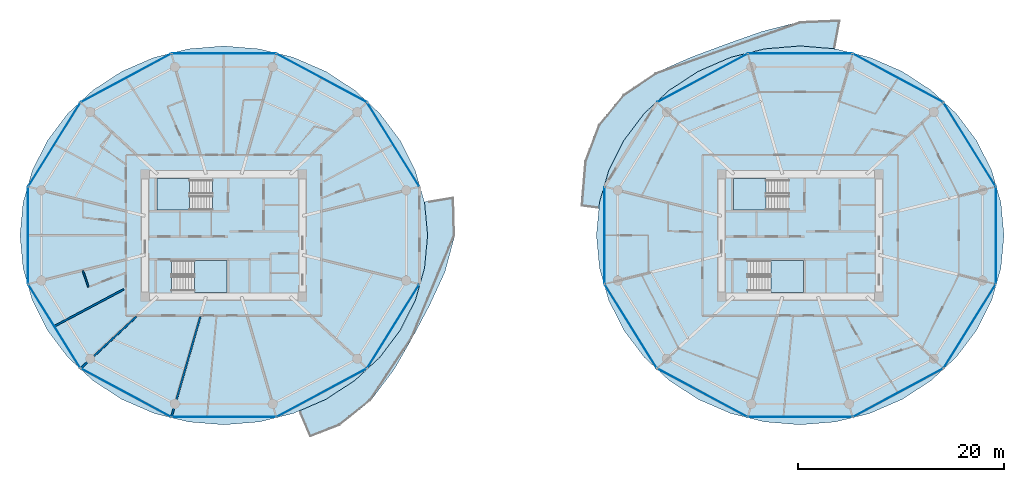
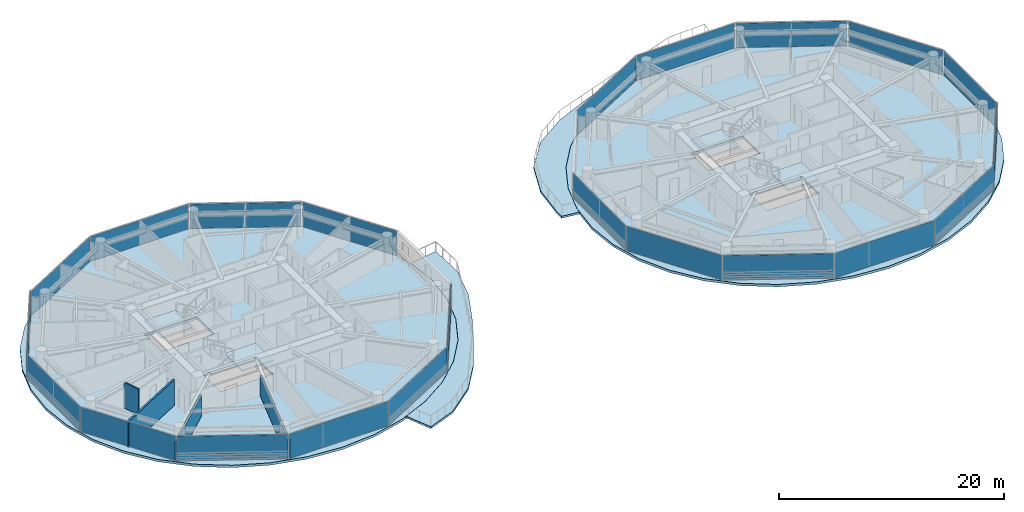
# One storey, part 14 of 27: 22 plates, 8 slabs, 4 walls, 26 elements without a shape of their own.
"""IFC4 building model written with IfcOpenShell, lengths in metres."""

import ifcopenshell
import ifcopenshell.guid

model = None  # the IFC model being written
_history = None  # IfcOwnerHistory: only IFC2X3 demands one
_inside = {}  # id of a spatial element -> (the spatial element, [elements in it])
_under = {}  # id of a project, library or spatial element -> (it, [spatial elements below it])
_declared = {}  # id of a project -> (the project, [libraries it declares])
_typed = {}  # id of a type object -> (the type object, [elements of that type])
_made_of = {}  # id of a material, layer set ... -> (it, [elements and type objects made of it])


def new_model(schema):
    """Start an empty IFC model of exactly this schema.

    Asked for "IFC4X3", IfcOpenShell would pick the latest addendum, in which some entities
    have other attributes; the version numbers below select the first issue.
    IFC2X3 requires an IfcOwnerHistory on every rooted entity: one is made here for all.
    """
    global model, _history
    if schema == "IFC4X3":
        model = ifcopenshell.file(schema_version=(4, 3, 0, 0))
    else:
        model = ifcopenshell.file(schema=schema)
    _inside.clear()
    _under.clear()
    _declared.clear()
    _typed.clear()
    _made_of.clear()
    _history = None
    if model.schema == "IFC2X3":
        org = make("IfcOrganization", Name="unknown")
        user = make(
            "IfcPersonAndOrganization",
            ThePerson=make("IfcPerson", FamilyName="unknown"),
            TheOrganization=org,
        )
        app = make(
            "IfcApplication",
            ApplicationDeveloper=org,
            Version="unknown",
            ApplicationFullName="unknown",
            ApplicationIdentifier="unknown",
        )
        _history = make(
            "IfcOwnerHistory",
            OwningUser=user,
            OwningApplication=app,
            ChangeAction="ADDED",
            CreationDate=0,
        )
    return model


def make(cls, **values):
    """One entity of the class cls with the attributes given. An attribute that is None is left unset."""
    return model.create_entity(
        cls, **{name: value for name, value in values.items() if value is not None}
    )


def rooted(cls, **values):
    """An entity with a GlobalId (a new one), such as an element, a storey or a relation."""
    return make(cls, GlobalId=ifcopenshell.guid.new(), OwnerHistory=_history, **values)


def si_unit(unit_type, name, prefix=None):
    """IfcSIUnit, for example si_unit("LENGTHUNIT", "METRE", prefix="MILLI")."""
    return make("IfcSIUnit", UnitType=unit_type, Prefix=prefix, Name=name)


def assignment(units):
    """IfcUnitAssignment: the units of a project."""
    return None if units is None else make("IfcUnitAssignment", Units=units)


def point(xyz):
    """IfcCartesianPoint."""
    return None if xyz is None else make("IfcCartesianPoint", Coordinates=xyz)


def direction(xyz):
    """IfcDirection."""
    return None if xyz is None else make("IfcDirection", DirectionRatios=xyz)


def frame(location, z_axis=None, x_axis=None):
    """IfcAxis2Placement3D, a coordinate frame: its origin and axes. An axis left out is left unset."""
    return make(
        "IfcAxis2Placement3D",
        Location=point(location),
        Axis=direction(z_axis),
        RefDirection=direction(x_axis),
    )


def frame_2d(location, x_axis=None):
    """IfcAxis2Placement2D, a coordinate frame in the plane: its origin and x axis."""
    return make(
        "IfcAxis2Placement2D", Location=point(location), RefDirection=direction(x_axis)
    )


def origin():
    """The frame at (0, 0, 0) with its axes left unset."""
    return frame((0.0, 0.0, 0.0))


def origin_2d():
    """The frame at (0, 0) in the plane with its x axis left unset."""
    return frame_2d((0.0, 0.0))


def place(relative_to, where):
    """IfcLocalPlacement: puts the frame where relative to a parent placement (None: the world)."""
    return make(
        "IfcLocalPlacement", PlacementRelTo=relative_to, RelativePlacement=where
    )


def context(
    kind, dimensions, precision=None, world=None, true_north=None, identifier=None
):
    """IfcGeometricRepresentationContext, for example the 3D "Model" context."""
    return make(
        "IfcGeometricRepresentationContext",
        ContextIdentifier=identifier,
        ContextType=kind,
        CoordinateSpaceDimension=dimensions,
        Precision=precision,
        WorldCoordinateSystem=world,
        TrueNorth=true_north,
    )


def subcontext(parent, identifier, kind, view, scale=None):
    """IfcGeometricRepresentationSubContext, for example "Body" below "Model"."""
    return make(
        "IfcGeometricRepresentationSubContext",
        ContextIdentifier=identifier,
        ContextType=kind,
        ParentContext=parent,
        TargetScale=scale,
        TargetView=view,
    )


def project(units=None, contexts=None):
    """IfcProject with its units and contexts."""
    return rooted(
        "IfcProject",
        Name="project",
        RepresentationContexts=contexts,
        UnitsInContext=assignment(units),
    )


def spatial(cls, under=None, at=None, **own):
    """A site, building, storey or space (cls), placed at a placement, below another one or the project."""
    s = rooted(cls, ObjectPlacement=at, **own)
    if under is not None:
        _under.setdefault(under.id(), (under, []))[1].append(s)
    return s


def polyline(points):
    """IfcPolyline through the points."""
    return make("IfcPolyline", Points=[point(p) for p in points])


def profile(cls, at=None, kind="AREA", **sizes):
    """A parametric profile (cls). Its sizes go by their IFC names, for example OverallWidth=200.0."""
    return make(cls, ProfileType=kind, Position=at, **sizes)


def rectangle(**sizes):
    """IfcRectangleProfileDef."""
    return profile("IfcRectangleProfileDef", **sizes)


def outline(outer, holes=None, kind="AREA"):
    """IfcArbitraryClosedProfileDef: a profile drawn as a closed curve; with holes, ...WithVoids."""
    if holes is None:
        return make("IfcArbitraryClosedProfileDef", ProfileType=kind, OuterCurve=outer)
    return make(
        "IfcArbitraryProfileDefWithVoids",
        ProfileType=kind,
        OuterCurve=outer,
        InnerCurves=holes,
    )


def extrude(swept, where, along, depth):
    """IfcExtrudedAreaSolid: the profile swept, set in the frame where, extruded along a direction by depth."""
    return make(
        "IfcExtrudedAreaSolid",
        SweptArea=swept,
        Position=where,
        ExtrudedDirection=direction(along),
        Depth=depth,
    )


def shape(context_of_items, identifier, shape_type, items):
    """IfcShapeRepresentation: the items that make up one representation, for example the "Body"."""
    return make(
        "IfcShapeRepresentation",
        ContextOfItems=context_of_items,
        RepresentationIdentifier=identifier,
        RepresentationType=shape_type,
        Items=items,
    )


def source(mapping_origin, context_of_items, identifier, shape_type, items):
    """IfcRepresentationMap: a shape defined once, which mapped items show again and again."""
    return make(
        "IfcRepresentationMap",
        MappingOrigin=mapping_origin,
        MappedRepresentation=shape(context_of_items, identifier, shape_type, items),
    )


def transform(
    local_origin,
    x_axis=None,
    y_axis=None,
    z_axis=None,
    scale=None,
    scale2=None,
    scale3=None,
    uniform=True,
):
    """IfcCartesianTransformationOperator3D, or its non-uniform kind. x_axis, y_axis, z_axis: its Axis1, 2, 3."""
    if uniform:
        return make(
            "IfcCartesianTransformationOperator3D",
            Axis1=direction(x_axis),
            Axis2=direction(y_axis),
            LocalOrigin=point(local_origin),
            Scale=scale,
            Axis3=direction(z_axis),
        )
    return make(
        "IfcCartesianTransformationOperator3DnonUniform",
        Axis1=direction(x_axis),
        Axis2=direction(y_axis),
        LocalOrigin=point(local_origin),
        Scale=scale,
        Axis3=direction(z_axis),
        Scale2=scale2,
        Scale3=scale3,
    )


def mapped(mapping_source, mapping_target):
    """IfcMappedItem: shows the shape of a source again, moved by a transform."""
    return make(
        "IfcMappedItem", MappingSource=mapping_source, MappingTarget=mapping_target
    )


def material(Name=None, Category=None):
    """IfcMaterial."""
    return make("IfcMaterial", Name=Name, Category=Category)


def layer(
    of_material, thickness, ventilated=None, Name=None, Category=None, Priority=None
):
    """IfcMaterialLayer: one layer of a wall or slab, of a material (None: an air gap)."""
    return make(
        "IfcMaterialLayer",
        Material=of_material,
        LayerThickness=thickness,
        IsVentilated=ventilated,
        Name=Name,
        Category=Category,
        Priority=Priority,
    )


def layer_set(layers, Name=None):
    """IfcMaterialLayerSet."""
    return make("IfcMaterialLayerSet", MaterialLayers=layers, LayerSetName=Name)


def made_of(thing, what):
    """Note that an element or type object is made of a material, layer set ...; save() writes the relation."""
    if what is not None:
        _made_of.setdefault(what.id(), (what, []))[1].append(thing)
    return thing


def type_object(cls, material=None, **own):
    """A type object (cls), such as IfcWallType, which elements share."""
    return made_of(rooted(cls, **own), material)


def type_shapes(of_type, sources):
    """Give a type object the sources (RepresentationMaps) that its elements show as mapped items."""
    of_type.RepresentationMaps = sources


def element(
    cls,
    number,
    at=None,
    inside=None,
    cuts=None,
    type_object=None,
    material=None,
    context=None,
    identifier="Body",
    shape_type=None,
    held_by="IfcProductDefinitionShape",
    body=None,
    shapes=None,
    **own,
):
    """One element of the class cls, such as IfcWall. Its Tag is "e" and its number.

    at: its placement. inside: the storey or other place that contains it. cuts: it is an
    opening in that element (IfcRelVoidsElement). A single representation is given by context,
    identifier, shape_type and body (its items); several are given by shapes. held_by: the class
    of the entity that holds the representations. save() writes the other relations.
    """
    e = rooted(cls, Tag="e%d" % number, ObjectPlacement=at, **own)
    if body is not None:
        shapes = [shape(context, identifier, shape_type, body)]
    if shapes is not None:
        e.Representation = make(held_by, Representations=shapes)
    if inside is not None:
        _inside.setdefault(inside.id(), (inside, []))[1].append(e)
    if cuts is not None:
        rooted(
            "IfcRelVoidsElement", RelatingBuildingElement=cuts, RelatedOpeningElement=e
        )
    if type_object is not None:
        _typed.setdefault(type_object.id(), (type_object, []))[1].append(e)
    return made_of(e, material)


def aggregate(whole, parts):
    """IfcRelAggregates: a whole, such as a stair, and the parts it consists of."""
    return rooted("IfcRelAggregates", RelatingObject=whole, RelatedObjects=parts)


def save(model, path):
    """Write the relations noted so far, then the file.

    IfcRelAggregates (storeys below a building ...), IfcRelContainedInSpatialStructure (elements
    in a storey), IfcRelDefinesByType, IfcRelAssociatesMaterial and IfcRelDeclares: one each for
    every whole, place, type object, material and project.
    """
    for whole, parts in _under.values():
        aggregate(whole, parts)
    for where, things in _inside.values():
        rooted(
            "IfcRelContainedInSpatialStructure",
            RelatedElements=things,
            RelatingStructure=where,
        )
    for kind, things in _typed.values():
        rooted("IfcRelDefinesByType", RelatedObjects=things, RelatingType=kind)
    for what, things in _made_of.values():
        rooted("IfcRelAssociatesMaterial", RelatedObjects=things, RelatingMaterial=what)
    for by, libraries in _declared.values():
        rooted("IfcRelDeclares", RelatingContext=by, RelatedDefinitions=libraries)
    model.write(path)


model = new_model("IFC4")

# Units and contexts
model_context = context("Model", 3, precision=1e-05, world=origin(), true_north=direction((0.0, 1.0)))
body_context = subcontext(model_context, "Body", "Model", "MODEL_VIEW")
ifc_project = project(units=[si_unit("LENGTHUNIT", "METRE"), si_unit("AREAUNIT", "SQUARE_METRE"), si_unit("VOLUMEUNIT", "CUBIC_METRE"), si_unit("PLANEANGLEUNIT", "RADIAN"), si_unit("MASSUNIT", "GRAM", prefix="KILO")], contexts=[model_context])

# Site, building, storey
site_placement = place(None, origin())
site = spatial("IfcSite", under=ifc_project, at=site_placement, CompositionType="ELEMENT")
building_placement = place(site_placement, origin())
building = spatial("IfcBuilding", under=site, at=building_placement, Name="Norrkilde Senior Care Towers", CompositionType="ELEMENT")
storey_placement = place(building_placement, frame((0.0, 0.0, 58.199951171875)))
storey = spatial("IfcBuildingStorey", under=building, at=storey_placement, Name="L17", CompositionType="ELEMENT", Elevation=58.199951171875)

# Slabs
ifc_material_1 = material(Name="Concrete C50/60", Category="concrete")
ifc_layer_1 = layer(ifc_material_1, 0.215087890625)
ifc_layer_set_1 = layer_set([ifc_layer_1], Name="Concrete C50/60")
slab_type_1 = type_object("IfcSlabType", Name="Sinusoidal Balcony Ribbon Slab 215", PredefinedType="FLOOR", material=ifc_layer_set_1)
slab_1_placement = place(storey_placement, frame((0.0, 0.0, -0.21484375)))
element("IfcSlab", 1, at=slab_1_placement, inside=storey, type_object=slab_type_1, Name="L17 Drum W Swirling Senior Balcony 1", PredefinedType="FLOOR", context=body_context, shape_type="SweptSolid", body=[
    extrude(outline(polyline([(-9.673828125, -9.932373046875), (-11.470703125, -13.056884765625), (-13.742431640625, -16.057861328125), (-16.737060546875, -18.475341796875), (-19.626708984375, -19.599853515625), (-20.70751953125, -17.0703125), (-18.097412109375, -15.939208984375), (-15.26953125, -14.09912109375), (-12.828369140625, -11.83056640625), (-10.848388671875, -9.202392578125), (-9.389404296875, -6.294921875), (-8.495849609375, -3.196044921875), (-8.195068359375, 0.0), (-8.495849609375, 3.196044921875), (-8.511474609375, 3.25), (-5.65185546875, 3.726806640625), (-5.556396484375, 0.0), (-6.51904296875, -3.571044921875), (-8.02734375, -6.828369140625), (-9.673828125, -9.932373046875)])), origin(), (0.0, 0.0, 1.0), 0.21484375),
])
slab_2_placement = place(storey_placement, frame((0.0, 0.0, -0.21484375)))
element("IfcSlab", 2, at=slab_2_placement, inside=storey, type_object=slab_type_1, Name="L17 Drum E Swirling Senior Balcony 1", PredefinedType="FLOOR", context=body_context, shape_type="SweptSolid", body=[
    extrude(outline(polyline([(7.07666015625, 7.200927734375), (8.40380859375, 10.721435546875), (10.8017578125, 13.66064453125), (13.949462890625, 15.792236328125), (17.36767578125, 17.2998046875), (20.79296875, 18.576416015625), (24.28466796875, 19.812255859375), (28.0, 20.764404296875), (31.89794921875, 20.926513671875), (31.9013671875, 20.92578125), (31.38037109375, 18.130126953125), (28.0, 18.405029296875), (24.560791015625, 18.12548828125), (21.226318359375, 17.294921875), (18.097412109375, 15.939208984375), (15.26953125, 14.09912109375), (12.828369140625, 11.83056640625), (10.848388671875, 9.202392578125), (9.389404296875, 6.294921875), (8.495849609375, 3.196044921875), (8.439697265625, 2.599853515625), (6.72119140625, 2.828369140625), (6.6982421875, 3.537109375), (7.07666015625, 7.200927734375)])), origin(), (0.0, 0.0, 1.0), 0.21484375),
])

# Stair, slab
ifc_material_2 = material(Name="Concrete C45/55", Category="concrete")
stair_type = type_object("IfcStairType", Name="Core Protected Dogleg Stair Typical 3050", PredefinedType="HALF_TURN_STAIR", material=ifc_material_2)
stair_1_placement = place(storey_placement, origin())
stair_1 = element("IfcStair", 3, at=stair_1_placement, inside=storey, type_object=stair_type, Name="L17 Protected Core Stair W1", PredefinedType="HALF_TURN_STAIR")
ifc_layer_2 = layer(ifc_material_2, 0.199951171875)
ifc_layer_set_2 = layer_set([ifc_layer_2], Name="Concrete C45/55")
slab_type_2 = type_object("IfcSlabType", Name="Stair Landing Slab 200", PredefinedType="LANDING", material=ifc_layer_set_2)
slab_3_placement = place(storey_placement, frame((0.0, 0.0, 1.324951171875)))
slab_3 = element("IfcSlab", 4, at=slab_3_placement, type_object=slab_type_2, Name="ST-W1 landing 1", PredefinedType="LANDING", context=body_context, shape_type="SweptSolid", body=[
    extrude(outline(polyline([(-31.340087890625, 5.52490234375), (-34.5, 5.52490234375), (-34.5, 2.449951171875), (-31.340087890625, 2.449951171875), (-31.340087890625, 5.52490234375)])), origin(), (0.0, 0.0, 1.0), 0.2001953125),
])
aggregate(stair_1, [slab_3])

stair_2_placement = place(storey_placement, origin())
stair_2 = element("IfcStair", 5, at=stair_2_placement, inside=storey, type_object=stair_type, Name="L17 Protected Core Stair W2", PredefinedType="HALF_TURN_STAIR")
slab_4_placement = place(storey_placement, frame((0.0, 0.0, 1.324951171875)))
slab_4 = element("IfcSlab", 6, at=slab_4_placement, type_object=slab_type_2, Name="ST-W2 landing 1", PredefinedType="LANDING", context=body_context, shape_type="SweptSolid", body=[
    extrude(outline(polyline([(-30.860107421875, -5.52490234375), (-27.699951171875, -5.52490234375), (-27.699951171875, -2.449951171875), (-30.860107421875, -2.449951171875), (-30.860107421875, -5.52490234375)])), origin(), (0.0, 0.0, 1.0), 0.2001953125),
])
aggregate(stair_2, [slab_4])

stair_3_placement = place(storey_placement, origin())
stair_3 = element("IfcStair", 7, at=stair_3_placement, inside=storey, type_object=stair_type, Name="L17 Protected Core Stair E1", PredefinedType="HALF_TURN_STAIR")
slab_5_placement = place(storey_placement, frame((0.0, 0.0, 1.324951171875)))
slab_5 = element("IfcSlab", 8, at=slab_5_placement, type_object=slab_type_2, Name="ST-E1 landing 1", PredefinedType="LANDING", context=body_context, shape_type="SweptSolid", body=[
    extrude(outline(polyline([(24.659912109375, 5.52490234375), (21.5, 5.52490234375), (21.5, 2.449951171875), (24.659912109375, 2.449951171875), (24.659912109375, 5.52490234375)])), origin(), (0.0, 0.0, 1.0), 0.2001953125),
])
aggregate(stair_3, [slab_5])

stair_4_placement = place(storey_placement, origin())
stair_4 = element("IfcStair", 9, at=stair_4_placement, inside=storey, type_object=stair_type, Name="L17 Protected Core Stair E2", PredefinedType="HALF_TURN_STAIR")
slab_6_placement = place(storey_placement, frame((0.0, 0.0, 1.324951171875)))
slab_6 = element("IfcSlab", 10, at=slab_6_placement, type_object=slab_type_2, Name="ST-E2 landing 1", PredefinedType="LANDING", context=body_context, shape_type="SweptSolid", body=[
    extrude(outline(polyline([(25.139892578125, -5.52490234375), (28.300048828125, -5.52490234375), (28.300048828125, -2.449951171875), (25.139892578125, -2.449951171875), (25.139892578125, -5.52490234375)])), origin(), (0.0, 0.0, 1.0), 0.2001953125),
])
aggregate(stair_4, [slab_6])

# Slabs
ifc_layer_3 = layer(ifc_material_1, 0.260009765625)
ifc_layer_set_3 = layer_set([ifc_layer_3], Name="Concrete C50/60")
slab_type_3 = type_object("IfcSlabType", Name="Tower Care Floor Slab 260", PredefinedType="FLOOR", material=ifc_layer_set_3)
slab_7_placement = place(storey_placement, frame((0.0, 0.0, -0.260009765625)))
element("IfcSlab", 11, at=slab_7_placement, inside=storey, type_object=slab_type_3, Name="L17 Drum W Structural Floor Slab", PredefinedType="FLOOR", context=body_context, shape_type="SweptSolid", body=[
    extrude(outline(polyline([(-9.39404296875, -6.293212890625), (-10.852783203125, -9.199951171875), (-12.832275390625, -11.827392578125), (-15.272705078125, -14.09521484375), (-18.10009765625, -15.934814453125), (-21.22802734375, -17.290283203125), (-24.561767578125, -18.120361328125), (-28.0, -18.39990234375), (-31.438232421875, -18.120361328125), (-34.77197265625, -17.290283203125), (-37.89990234375, -15.934814453125), (-40.727294921875, -14.09521484375), (-43.167724609375, -11.827392578125), (-45.147216796875, -9.199951171875), (-46.60595703125, -6.293212890625), (-47.499267578125, -3.195068359375), (-47.800048828125, 0.0), (-47.499267578125, 3.195068359375), (-46.60595703125, 6.293212890625), (-45.147216796875, 9.199951171875), (-43.167724609375, 11.827392578125), (-40.727294921875, 14.09521484375), (-37.89990234375, 15.934814453125), (-34.77197265625, 17.290283203125), (-31.438232421875, 18.120361328125), (-28.0, 18.39990234375), (-24.561767578125, 18.120361328125), (-21.22802734375, 17.290283203125), (-18.10009765625, 15.934814453125), (-15.272705078125, 14.09521484375), (-12.832275390625, 11.827392578125), (-10.852783203125, 9.199951171875), (-9.39404296875, 6.293212890625), (-8.500732421875, 3.195068359375), (-8.199951171875, 0.0), (-8.500732421875, -3.195068359375), (-9.39404296875, -6.293212890625)]), holes=[polyline([(-34.48193359375, 2.468017578125), (-29.117919921875, 2.468017578125), (-29.117919921875, 5.52490234375), (-34.48193359375, 5.52490234375), (-34.48193359375, 2.468017578125)]), polyline([(-27.718017578125, -5.52490234375), (-27.718017578125, -2.468017578125), (-33.08203125, -2.468017578125), (-33.08203125, -5.52490234375), (-27.718017578125, -5.52490234375)])]), origin(), (0.0, 0.0, 1.0), 0.260009765625),
])
slab_8_placement = place(storey_placement, frame((0.0, 0.0, -0.260009765625)))
element("IfcSlab", 12, at=slab_8_placement, inside=storey, type_object=slab_type_3, Name="L17 Drum E Structural Floor Slab", PredefinedType="FLOOR", context=body_context, shape_type="SweptSolid", body=[
    extrude(outline(polyline([(46.60595703125, -6.293212890625), (45.147216796875, -9.199951171875), (43.167724609375, -11.827392578125), (40.727294921875, -14.09521484375), (37.89990234375, -15.934814453125), (34.77197265625, -17.290283203125), (31.438232421875, -18.120361328125), (28.0, -18.39990234375), (24.561767578125, -18.120361328125), (21.22802734375, -17.290283203125), (18.10009765625, -15.934814453125), (15.272705078125, -14.09521484375), (12.832275390625, -11.827392578125), (10.852783203125, -9.199951171875), (9.39404296875, -6.293212890625), (8.500732421875, -3.195068359375), (8.199951171875, 0.0), (8.500732421875, 3.195068359375), (9.39404296875, 6.293212890625), (10.852783203125, 9.199951171875), (12.832275390625, 11.827392578125), (15.272705078125, 14.09521484375), (18.10009765625, 15.934814453125), (21.22802734375, 17.290283203125), (24.561767578125, 18.120361328125), (28.0, 18.39990234375), (31.438232421875, 18.120361328125), (34.77197265625, 17.290283203125), (37.89990234375, 15.934814453125), (40.727294921875, 14.09521484375), (43.167724609375, 11.827392578125), (45.147216796875, 9.199951171875), (46.60595703125, 6.293212890625), (47.499267578125, 3.195068359375), (47.800048828125, 0.0), (47.499267578125, -3.195068359375), (46.60595703125, -6.293212890625)]), holes=[polyline([(21.51806640625, 2.468017578125), (26.882080078125, 2.468017578125), (26.882080078125, 5.52490234375), (21.51806640625, 5.52490234375), (21.51806640625, 2.468017578125)]), polyline([(28.281982421875, -5.52490234375), (28.281982421875, -2.468017578125), (22.91796875, -2.468017578125), (22.91796875, -5.52490234375), (28.281982421875, -5.52490234375)])]), origin(), (0.0, 0.0, 1.0), 0.260009765625),
])

# Curtain wall, plate
ifc_material_3 = material(Name="Triple Low-E Insulated Glazing", Category="glass")
ifc_layer_4 = layer(ifc_material_3, 0.199951171875)
ifc_layer_set_4 = layer_set([ifc_layer_4], Name="Triple Low-E Insulated Glazing")
curtain_wall_type = type_object("IfcCurtainWallType", Name="CW2 Zone 1 Memory Care Curtain Wall", PredefinedType="NOTDEFINED", material=ifc_layer_set_4)
curtain_wall_1_placement = place(storey_placement, origin())
curtain_wall_1 = element("IfcCurtainWall", 13, at=curtain_wall_1_placement, inside=storey, type_object=curtain_wall_type, Name="L17 Drum W Curtain Wall 00", PredefinedType="NOTDEFINED")
ifc_layer_5 = layer(ifc_material_3, 0.035888671875)
ifc_layer_set_5 = layer_set([ifc_layer_5], Name="Triple Low-E Insulated Glazing")
plate_type = type_object("IfcPlateType", Name="Triple Low-E Vision Curtain Panel 36", PredefinedType="CURTAIN_PANEL", material=ifc_layer_set_5)
shared_shape_1 = source(origin(), body_context, "Body", "SweptSolid", [
    extrude(rectangle(XDim=9.518798828125, YDim=0.035888671875, at=origin_2d()), origin(), (0.0, 0.0, 1.0), 2.669921875),
])
plate_1_placement = place(storey_placement, frame((-11.537353515625, 8.82861328125, 0.06005859375), z_axis=(0.0, 0.0, 1.0), x_axis=(0.527900951871, -0.849305943117, 0.0)))
plate_1 = element("IfcPlate", 14, at=plate_1_placement, type_object=plate_type, Name="CW-2 panel 1.1", PredefinedType="CURTAIN_PANEL", context=body_context, shape_type="MappedRepresentation", body=[
    mapped(shared_shape_1, transform((0.0, 0.0, 0.0), x_axis=(1.0, 0.0, 0.0), y_axis=(0.0, 1.0, 0.0), z_axis=(0.0, 0.0, 1.0), scale=1.0)),
])
aggregate(curtain_wall_1, [plate_1])

curtain_wall_2_placement = place(storey_placement, origin())
curtain_wall_2 = element("IfcCurtainWall", 15, at=curtain_wall_2_placement, inside=storey, type_object=curtain_wall_type, Name="L17 Drum W Curtain Wall 04", PredefinedType="NOTDEFINED")
plate_2_placement = place(storey_placement, frame((-44.462646484375, 8.82861328125, 0.06005859375), z_axis=(0.0, 0.0, 1.0), x_axis=(0.527900951871, 0.849305943117, 0.0)))
plate_2 = element("IfcPlate", 16, at=plate_2_placement, type_object=plate_type, Name="CW-2 panel 1.1", PredefinedType="CURTAIN_PANEL", context=body_context, shape_type="MappedRepresentation", body=[
    mapped(shared_shape_1, transform((0.0, 0.0, 0.0), x_axis=(1.0, 0.0, 0.0), y_axis=(0.0, 1.0, 0.0), z_axis=(0.0, 0.0, 1.0), scale=1.0)),
])
aggregate(curtain_wall_2, [plate_2])

curtain_wall_3_placement = place(storey_placement, origin())
curtain_wall_3 = element("IfcCurtainWall", 17, at=curtain_wall_3_placement, inside=storey, type_object=curtain_wall_type, Name="L17 Drum W Curtain Wall 06", PredefinedType="NOTDEFINED")
plate_3_placement = place(storey_placement, frame((-44.462646484375, -8.82861328125, 0.06005859375), z_axis=(0.0, 0.0, 1.0), x_axis=(-0.527900951871, 0.849305943117, 0.0)))
plate_3 = element("IfcPlate", 18, at=plate_3_placement, type_object=plate_type, Name="CW-2 panel 1.1", PredefinedType="CURTAIN_PANEL", context=body_context, shape_type="MappedRepresentation", body=[
    mapped(shared_shape_1, transform((0.0, 0.0, 0.0), x_axis=(1.0, 0.0, 0.0), y_axis=(0.0, 1.0, 0.0), z_axis=(0.0, 0.0, 1.0), scale=1.0)),
])
aggregate(curtain_wall_3, [plate_3])

curtain_wall_4_placement = place(storey_placement, origin())
curtain_wall_4 = element("IfcCurtainWall", 19, at=curtain_wall_4_placement, inside=storey, type_object=curtain_wall_type, Name="L17 Drum W Curtain Wall 10", PredefinedType="NOTDEFINED")
plate_4_placement = place(storey_placement, frame((-11.537353515625, -8.82861328125, 0.06005859375), z_axis=(0.0, 0.0, 1.0), x_axis=(-0.527900951871, -0.849305943117, 0.0)))
plate_4 = element("IfcPlate", 20, at=plate_4_placement, type_object=plate_type, Name="CW-2 panel 1.1", PredefinedType="CURTAIN_PANEL", context=body_context, shape_type="MappedRepresentation", body=[
    mapped(shared_shape_1, transform((0.0, 0.0, 0.0), x_axis=(1.0, 0.0, 0.0), y_axis=(0.0, 1.0, 0.0), z_axis=(0.0, 0.0, 1.0), scale=1.0)),
])
aggregate(curtain_wall_4, [plate_4])

curtain_wall_5_placement = place(storey_placement, origin())
curtain_wall_5 = element("IfcCurtainWall", 21, at=curtain_wall_5_placement, inside=storey, type_object=curtain_wall_type, Name="L17 Drum E Curtain Wall 00", PredefinedType="NOTDEFINED")
plate_5_placement = place(storey_placement, frame((44.462646484375, 8.82861328125, 0.06005859375), z_axis=(0.0, 0.0, 1.0), x_axis=(0.527900951871, -0.849305943117, 0.0)))
plate_5 = element("IfcPlate", 22, at=plate_5_placement, type_object=plate_type, Name="CW-2 panel 1.1", PredefinedType="CURTAIN_PANEL", context=body_context, shape_type="MappedRepresentation", body=[
    mapped(shared_shape_1, transform((0.0, 0.0, 0.0), x_axis=(1.0, 0.0, 0.0), y_axis=(0.0, 1.0, 0.0), z_axis=(0.0, 0.0, 1.0), scale=1.0)),
])
aggregate(curtain_wall_5, [plate_5])

curtain_wall_6_placement = place(storey_placement, origin())
curtain_wall_6 = element("IfcCurtainWall", 23, at=curtain_wall_6_placement, inside=storey, type_object=curtain_wall_type, Name="L17 Drum E Curtain Wall 06", PredefinedType="NOTDEFINED")
plate_6_placement = place(storey_placement, frame((11.537353515625, -8.82861328125, 0.06005859375), z_axis=(0.0, 0.0, 1.0), x_axis=(-0.527900951871, 0.849305943117, 0.0)))
plate_6 = element("IfcPlate", 24, at=plate_6_placement, type_object=plate_type, Name="CW-2 panel 1.1", PredefinedType="CURTAIN_PANEL", context=body_context, shape_type="MappedRepresentation", body=[
    mapped(shared_shape_1, transform((0.0, 0.0, 0.0), x_axis=(1.0, 0.0, 0.0), y_axis=(0.0, 1.0, 0.0), z_axis=(0.0, 0.0, 1.0), scale=1.0)),
])
aggregate(curtain_wall_6, [plate_6])

curtain_wall_7_placement = place(storey_placement, origin())
curtain_wall_7 = element("IfcCurtainWall", 25, at=curtain_wall_7_placement, inside=storey, type_object=curtain_wall_type, Name="L17 Drum E Curtain Wall 10", PredefinedType="NOTDEFINED")
plate_7_placement = place(storey_placement, frame((44.462646484375, -8.82861328125, 0.06005859375), z_axis=(0.0, 0.0, 1.0), x_axis=(-0.527900951871, -0.849305943117, 0.0)))
plate_7 = element("IfcPlate", 26, at=plate_7_placement, type_object=plate_type, Name="CW-2 panel 1.1", PredefinedType="CURTAIN_PANEL", context=body_context, shape_type="MappedRepresentation", body=[
    mapped(shared_shape_1, transform((0.0, 0.0, 0.0), x_axis=(1.0, 0.0, 0.0), y_axis=(0.0, 1.0, 0.0), z_axis=(0.0, 0.0, 1.0), scale=1.0)),
])
aggregate(curtain_wall_7, [plate_7])

curtain_wall_8_placement = place(storey_placement, origin())
curtain_wall_8 = element("IfcCurtainWall", 27, at=curtain_wall_8_placement, inside=storey, type_object=curtain_wall_type, Name="L17 Drum W Curtain Wall 01", PredefinedType="NOTDEFINED")
shared_shape_2 = source(origin(), body_context, "Body", "SweptSolid", [
    extrude(rectangle(XDim=9.880859375, YDim=0.035888671875, at=origin_2d()), origin(), (0.0, 0.0, 1.0), 2.669921875),
])
plate_8_placement = place(storey_placement, frame((-18.495361328125, 15.29150390625, 0.06005859375), z_axis=(0.0, 0.0, 1.0), x_axis=(0.881272866403, -0.472607802456, 0.0)))
plate_8 = element("IfcPlate", 28, at=plate_8_placement, type_object=plate_type, Name="CW-2 panel 1.1", PredefinedType="CURTAIN_PANEL", context=body_context, shape_type="MappedRepresentation", body=[
    mapped(shared_shape_2, transform((0.0, 0.0, 0.0), x_axis=(1.0, 0.0, 0.0), y_axis=(0.0, 1.0, 0.0), z_axis=(0.0, 0.0, 1.0), scale=1.0)),
])
aggregate(curtain_wall_8, [plate_8])

curtain_wall_9_placement = place(storey_placement, origin())
curtain_wall_9 = element("IfcCurtainWall", 29, at=curtain_wall_9_placement, inside=storey, type_object=curtain_wall_type, Name="L17 Drum W Curtain Wall 03", PredefinedType="NOTDEFINED")
plate_9_placement = place(storey_placement, frame((-37.504638671875, 15.29150390625, 0.06005859375), z_axis=(0.0, 0.0, 1.0), x_axis=(0.881272866403, 0.472607802456, 0.0)))
plate_9 = element("IfcPlate", 30, at=plate_9_placement, type_object=plate_type, Name="CW-2 panel 1.1", PredefinedType="CURTAIN_PANEL", context=body_context, shape_type="MappedRepresentation", body=[
    mapped(shared_shape_2, transform((0.0, 0.0, 0.0), x_axis=(1.0, 0.0, 0.0), y_axis=(0.0, 1.0, 0.0), z_axis=(0.0, 0.0, 1.0), scale=1.0)),
])
aggregate(curtain_wall_9, [plate_9])

curtain_wall_10_placement = place(storey_placement, origin())
curtain_wall_10 = element("IfcCurtainWall", 31, at=curtain_wall_10_placement, inside=storey, type_object=curtain_wall_type, Name="L17 Drum W Curtain Wall 07", PredefinedType="NOTDEFINED")
plate_10_placement = place(storey_placement, frame((-37.504638671875, -15.29150390625, 0.06005859375), z_axis=(0.0, 0.0, 1.0), x_axis=(-0.881272866403, 0.472607802456, 0.0)))
plate_10 = element("IfcPlate", 32, at=plate_10_placement, type_object=plate_type, Name="CW-2 panel 1.1", PredefinedType="CURTAIN_PANEL", context=body_context, shape_type="MappedRepresentation", body=[
    mapped(shared_shape_2, transform((0.0, 0.0, 0.0), x_axis=(1.0, 0.0, 0.0), y_axis=(0.0, 1.0, 0.0), z_axis=(0.0, 0.0, 1.0), scale=1.0)),
])
aggregate(curtain_wall_10, [plate_10])

curtain_wall_11_placement = place(storey_placement, origin())
curtain_wall_11 = element("IfcCurtainWall", 33, at=curtain_wall_11_placement, inside=storey, type_object=curtain_wall_type, Name="L17 Drum W Curtain Wall 09", PredefinedType="NOTDEFINED")
plate_11_placement = place(storey_placement, frame((-18.495361328125, -15.29150390625, 0.06005859375), z_axis=(0.0, 0.0, 1.0), x_axis=(-0.881272866403, -0.472607802456, 0.0)))
plate_11 = element("IfcPlate", 34, at=plate_11_placement, type_object=plate_type, Name="CW-2 panel 1.1", PredefinedType="CURTAIN_PANEL", context=body_context, shape_type="MappedRepresentation", body=[
    mapped(shared_shape_2, transform((0.0, 0.0, 0.0), x_axis=(1.0, 0.0, 0.0), y_axis=(0.0, 1.0, 0.0), z_axis=(0.0, 0.0, 1.0), scale=1.0)),
])
aggregate(curtain_wall_11, [plate_11])

curtain_wall_12_placement = place(storey_placement, origin())
curtain_wall_12 = element("IfcCurtainWall", 35, at=curtain_wall_12_placement, inside=storey, type_object=curtain_wall_type, Name="L17 Drum E Curtain Wall 01", PredefinedType="NOTDEFINED")
plate_12_placement = place(storey_placement, frame((37.504638671875, 15.29150390625, 0.06005859375), z_axis=(0.0, 0.0, 1.0), x_axis=(0.881272866403, -0.472607802456, 0.0)))
plate_12 = element("IfcPlate", 36, at=plate_12_placement, type_object=plate_type, Name="CW-2 panel 1.1", PredefinedType="CURTAIN_PANEL", context=body_context, shape_type="MappedRepresentation", body=[
    mapped(shared_shape_2, transform((0.0, 0.0, 0.0), x_axis=(1.0, 0.0, 0.0), y_axis=(0.0, 1.0, 0.0), z_axis=(0.0, 0.0, 1.0), scale=1.0)),
])
aggregate(curtain_wall_12, [plate_12])

curtain_wall_13_placement = place(storey_placement, origin())
curtain_wall_13 = element("IfcCurtainWall", 37, at=curtain_wall_13_placement, inside=storey, type_object=curtain_wall_type, Name="L17 Drum E Curtain Wall 03", PredefinedType="NOTDEFINED")
plate_13_placement = place(storey_placement, frame((18.495361328125, 15.29150390625, 0.06005859375), z_axis=(0.0, 0.0, 1.0), x_axis=(0.881272866403, 0.472607802456, 0.0)))
plate_13 = element("IfcPlate", 38, at=plate_13_placement, type_object=plate_type, Name="CW-2 panel 1.1", PredefinedType="CURTAIN_PANEL", context=body_context, shape_type="MappedRepresentation", body=[
    mapped(shared_shape_2, transform((0.0, 0.0, 0.0), x_axis=(1.0, 0.0, 0.0), y_axis=(0.0, 1.0, 0.0), z_axis=(0.0, 0.0, 1.0), scale=1.0)),
])
aggregate(curtain_wall_13, [plate_13])

curtain_wall_14_placement = place(storey_placement, origin())
curtain_wall_14 = element("IfcCurtainWall", 39, at=curtain_wall_14_placement, inside=storey, type_object=curtain_wall_type, Name="L17 Drum E Curtain Wall 07", PredefinedType="NOTDEFINED")
plate_14_placement = place(storey_placement, frame((18.495361328125, -15.29150390625, 0.06005859375), z_axis=(0.0, 0.0, 1.0), x_axis=(-0.881272866403, 0.472607802456, 0.0)))
plate_14 = element("IfcPlate", 40, at=plate_14_placement, type_object=plate_type, Name="CW-2 panel 1.1", PredefinedType="CURTAIN_PANEL", context=body_context, shape_type="MappedRepresentation", body=[
    mapped(shared_shape_2, transform((0.0, 0.0, 0.0), x_axis=(1.0, 0.0, 0.0), y_axis=(0.0, 1.0, 0.0), z_axis=(0.0, 0.0, 1.0), scale=1.0)),
])
aggregate(curtain_wall_14, [plate_14])

curtain_wall_15_placement = place(storey_placement, origin())
curtain_wall_15 = element("IfcCurtainWall", 41, at=curtain_wall_15_placement, inside=storey, type_object=curtain_wall_type, Name="L17 Drum E Curtain Wall 09", PredefinedType="NOTDEFINED")
plate_15_placement = place(storey_placement, frame((37.504638671875, -15.29150390625, 0.06005859375), z_axis=(0.0, 0.0, 1.0), x_axis=(-0.881272866403, -0.472607802456, 0.0)))
plate_15 = element("IfcPlate", 42, at=plate_15_placement, type_object=plate_type, Name="CW-2 panel 1.1", PredefinedType="CURTAIN_PANEL", context=body_context, shape_type="MappedRepresentation", body=[
    mapped(shared_shape_2, transform((0.0, 0.0, 0.0), x_axis=(1.0, 0.0, 0.0), y_axis=(0.0, 1.0, 0.0), z_axis=(0.0, 0.0, 1.0), scale=1.0)),
])
aggregate(curtain_wall_15, [plate_15])

curtain_wall_16_placement = place(storey_placement, origin())
curtain_wall_16 = element("IfcCurtainWall", 43, at=curtain_wall_16_placement, inside=storey, type_object=curtain_wall_type, Name="L17 Drum W Curtain Wall 05", PredefinedType="NOTDEFINED")
shared_shape_3 = source(origin(), body_context, "Body", "SweptSolid", [
    extrude(rectangle(XDim=9.33251953125, YDim=0.035888671875, at=origin_2d()), origin(), (0.0, 0.0, 1.0), 2.669921875),
])
plate_16_placement = place(storey_placement, frame((-47.009521484375, 0.0, 0.06005859375), z_axis=(0.0, 0.0, 1.0), x_axis=(0.0, 1.0, 0.0)))
plate_16 = element("IfcPlate", 44, at=plate_16_placement, type_object=plate_type, Name="CW-2 panel 1.1", PredefinedType="CURTAIN_PANEL", context=body_context, shape_type="MappedRepresentation", body=[
    mapped(shared_shape_3, transform((0.0, 0.0, 0.0), x_axis=(1.0, 0.0, 0.0), y_axis=(0.0, 1.0, 0.0), z_axis=(0.0, 0.0, 1.0), scale=1.0)),
])
aggregate(curtain_wall_16, [plate_16])

curtain_wall_17_placement = place(storey_placement, origin())
curtain_wall_17 = element("IfcCurtainWall", 45, at=curtain_wall_17_placement, inside=storey, type_object=curtain_wall_type, Name="L17 Drum E Curtain Wall 05", PredefinedType="NOTDEFINED")
plate_17_placement = place(storey_placement, frame((8.990478515625, 0.0, 0.06005859375), z_axis=(0.0, 0.0, 1.0), x_axis=(0.0, 1.0, 0.0)))
plate_17 = element("IfcPlate", 46, at=plate_17_placement, type_object=plate_type, Name="CW-2 panel 1.1", PredefinedType="CURTAIN_PANEL", context=body_context, shape_type="MappedRepresentation", body=[
    mapped(shared_shape_3, transform((0.0, 0.0, 0.0), x_axis=(1.0, 0.0, 0.0), y_axis=(0.0, 1.0, 0.0), z_axis=(0.0, 0.0, 1.0), scale=1.0)),
])
aggregate(curtain_wall_17, [plate_17])

curtain_wall_18_placement = place(storey_placement, origin())
curtain_wall_18 = element("IfcCurtainWall", 47, at=curtain_wall_18_placement, inside=storey, type_object=curtain_wall_type, Name="L17 Drum E Curtain Wall 11", PredefinedType="NOTDEFINED")
plate_18_placement = place(storey_placement, frame((47.009521484375, 0.0, 0.06005859375), z_axis=(0.0, 0.0, 1.0), x_axis=(0.0, -1.0, 0.0)))
plate_18 = element("IfcPlate", 48, at=plate_18_placement, type_object=plate_type, Name="CW-2 panel 1.1", PredefinedType="CURTAIN_PANEL", context=body_context, shape_type="MappedRepresentation", body=[
    mapped(shared_shape_3, transform((0.0, 0.0, 0.0), x_axis=(1.0, 0.0, 0.0), y_axis=(0.0, 1.0, 0.0), z_axis=(0.0, 0.0, 1.0), scale=1.0)),
])
aggregate(curtain_wall_18, [plate_18])

curtain_wall_19_placement = place(storey_placement, origin())
curtain_wall_19 = element("IfcCurtainWall", 49, at=curtain_wall_19_placement, inside=storey, type_object=curtain_wall_type, Name="L17 Drum W Curtain Wall 02", PredefinedType="NOTDEFINED")
shared_shape_4 = source(origin(), body_context, "Body", "SweptSolid", [
    extrude(rectangle(XDim=10.05712890625, YDim=0.035888671875, at=origin_2d()), origin(), (0.0, 0.0, 1.0), 2.669921875),
])
type_shapes(plate_type, [shared_shape_1, shared_shape_2, shared_shape_3, shared_shape_4])
plate_19_placement = place(storey_placement, frame((-28.0, 17.6572265625, 0.06005859375), z_axis=(0.0, 0.0, 1.0), x_axis=(1.0, 0.0, 0.0)))
plate_19 = element("IfcPlate", 50, at=plate_19_placement, type_object=plate_type, Name="CW-2 panel 1.1", PredefinedType="CURTAIN_PANEL", context=body_context, shape_type="MappedRepresentation", body=[
    mapped(shared_shape_4, transform((0.0, 0.0, 0.0), x_axis=(1.0, 0.0, 0.0), y_axis=(0.0, 1.0, 0.0), z_axis=(0.0, 0.0, 1.0), scale=1.0)),
])
aggregate(curtain_wall_19, [plate_19])

curtain_wall_20_placement = place(storey_placement, origin())
curtain_wall_20 = element("IfcCurtainWall", 51, at=curtain_wall_20_placement, inside=storey, type_object=curtain_wall_type, Name="L17 Drum W Curtain Wall 08", PredefinedType="NOTDEFINED")
plate_20_placement = place(storey_placement, frame((-28.0, -17.6572265625, 0.06005859375), z_axis=(0.0, 0.0, 1.0), x_axis=(-1.0, 0.0, 0.0)))
plate_20 = element("IfcPlate", 52, at=plate_20_placement, type_object=plate_type, Name="CW-2 panel 1.1", PredefinedType="CURTAIN_PANEL", context=body_context, shape_type="MappedRepresentation", body=[
    mapped(shared_shape_4, transform((0.0, 0.0, 0.0), x_axis=(1.0, 0.0, 0.0), y_axis=(0.0, 1.0, 0.0), z_axis=(0.0, 0.0, 1.0), scale=1.0)),
])
aggregate(curtain_wall_20, [plate_20])

curtain_wall_21_placement = place(storey_placement, origin())
curtain_wall_21 = element("IfcCurtainWall", 53, at=curtain_wall_21_placement, inside=storey, type_object=curtain_wall_type, Name="L17 Drum E Curtain Wall 02", PredefinedType="NOTDEFINED")
plate_21_placement = place(storey_placement, frame((28.0, 17.6572265625, 0.06005859375), z_axis=(0.0, 0.0, 1.0), x_axis=(1.0, 0.0, 0.0)))
plate_21 = element("IfcPlate", 54, at=plate_21_placement, type_object=plate_type, Name="CW-2 panel 1.1", PredefinedType="CURTAIN_PANEL", context=body_context, shape_type="MappedRepresentation", body=[
    mapped(shared_shape_4, transform((0.0, 0.0, 0.0), x_axis=(1.0, 0.0, 0.0), y_axis=(0.0, 1.0, 0.0), z_axis=(0.0, 0.0, 1.0), scale=1.0)),
])
aggregate(curtain_wall_21, [plate_21])

curtain_wall_22_placement = place(storey_placement, origin())
curtain_wall_22 = element("IfcCurtainWall", 55, at=curtain_wall_22_placement, inside=storey, type_object=curtain_wall_type, Name="L17 Drum E Curtain Wall 08", PredefinedType="NOTDEFINED")
plate_22_placement = place(storey_placement, frame((28.0, -17.6572265625, 0.06005859375), z_axis=(0.0, 0.0, 1.0), x_axis=(-1.0, 0.0, 0.0)))
plate_22 = element("IfcPlate", 56, at=plate_22_placement, type_object=plate_type, Name="CW-2 panel 1.1", PredefinedType="CURTAIN_PANEL", context=body_context, shape_type="MappedRepresentation", body=[
    mapped(shared_shape_4, transform((0.0, 0.0, 0.0), x_axis=(1.0, 0.0, 0.0), y_axis=(0.0, 1.0, 0.0), z_axis=(0.0, 0.0, 1.0), scale=1.0)),
])
aggregate(curtain_wall_22, [plate_22])

# Walls
ifc_material_4 = material(Name="Gypsum Acoustic Board")
ifc_layer_6 = layer(ifc_material_4, 0.18994140625)
ifc_layer_set_6 = layer_set([ifc_layer_6], Name="Gypsum Acoustic Board")
wall_type_1 = type_object("IfcWallType", Name="Unit Demising Acoustic Wall 190", PredefinedType="PARTITIONING", material=ifc_layer_set_6)
shared_shape_5 = source(origin(), body_context, "Body", "SweptSolid", [
    extrude(rectangle(XDim=7.4345703125, YDim=0.18994140625, at=frame_2d((3.71728515625, 0.0))), origin(), (0.0, 0.0, 1.0), 2.22509765625),
])
wall_1_placement = place(storey_placement, frame((-36.48291015625, -7.8798828125, 0.0), z_axis=(0.0, 0.0, 1.0), x_axis=(-0.732651956848, -0.680603489652, 0.0)))
element("IfcWall", 57, at=wall_1_placement, inside=storey, type_object=wall_type_1, Name="WL-INT-L17-W-DEM-07-0", PredefinedType="PARTITIONING", context=body_context, shape_type="MappedRepresentation", body=[
    mapped(shared_shape_5, transform((0.0, 0.0, 0.0), x_axis=(1.0, 0.0, 0.0), y_axis=(0.0, 1.0, 0.0), z_axis=(0.0, 0.0, 1.0), scale=1.0)),
])
shared_shape_6 = source(origin(), body_context, "Body", "SweptSolid", [
    extrude(rectangle(XDim=10.196044921875, YDim=0.18994140625, at=frame_2d((5.09814453125, 0.0))), origin(), (0.0, 0.0, 1.0), 2.22509765625),
])
wall_2_placement = place(storey_placement, frame((-30.27294921875, -7.8798828125, 0.0), z_axis=(0.0, 0.0, 1.0), x_axis=(-0.277136420347, -0.960830580549, 0.0)))
element("IfcWall", 58, at=wall_2_placement, inside=storey, type_object=wall_type_1, Name="WL-INT-L17-W-DEM-08-0", PredefinedType="PARTITIONING", context=body_context, shape_type="MappedRepresentation", body=[
    mapped(shared_shape_6, transform((0.0, 0.0, 0.0), x_axis=(1.0, 0.0, 0.0), y_axis=(0.0, 1.0, 0.0), z_axis=(0.0, 0.0, 1.0), scale=1.0)),
])
shared_shape_7 = source(origin(), body_context, "Body", "SweptSolid", [
    extrude(rectangle(XDim=7.6767578125, YDim=0.18994140625, at=frame_2d((3.83837890625, 0.0))), origin(), (0.0, 0.0, 1.0), 2.775146484375),
])
type_shapes(wall_type_1, [shared_shape_5, shared_shape_6, shared_shape_7])
wall_3_placement = place(storey_placement, frame((-37.703125, -5.23095703125, 0.0), z_axis=(0.0, 0.0, 1.0), x_axis=(-0.882725057546, -0.469889851753, 0.0)))
element("IfcWall", 59, at=wall_3_placement, inside=storey, type_object=wall_type_1, Name="WL-INT-L17-W-CMID-06", PredefinedType="PARTITIONING", context=body_context, shape_type="MappedRepresentation", body=[
    mapped(shared_shape_7, transform((0.0, 0.0, 0.0), x_axis=(1.0, 0.0, 0.0), y_axis=(0.0, 1.0, 0.0), z_axis=(0.0, 0.0, 1.0), scale=1.0)),
])
ifc_layer_7 = layer(ifc_material_4, 0.139892578125)
ifc_layer_set_7 = layer_set([ifc_layer_7], Name="Gypsum Acoustic Board")
wall_type_2 = type_object("IfcWallType", Name="En-suite Wet Room Wall 140", PredefinedType="PARTITIONING", material=ifc_layer_set_7)
shared_shape_8 = source(origin(), body_context, "Body", "SweptSolid", [
    extrude(rectangle(XDim=1.67578125, YDim=0.139892578125, at=frame_2d((0.837890625, 0.0))), origin(), (0.0, 0.0, 1.0), 2.775146484375),
])
type_shapes(wall_type_2, [shared_shape_8])
wall_4_placement = place(storey_placement, frame((-41.150146484375, -5.010986328125, 0.0), z_axis=(0.0, 0.0, 1.0), x_axis=(-0.327785970556, 0.944752008469, 0.0)))
element("IfcWall", 60, at=wall_4_placement, inside=storey, type_object=wall_type_2, Name="WL-INT-L17-W-EF-06A", PredefinedType="PARTITIONING", context=body_context, shape_type="MappedRepresentation", body=[
    mapped(shared_shape_8, transform((0.0, 0.0, 0.0), x_axis=(1.0, 0.0, 0.0), y_axis=(0.0, 1.0, 0.0), z_axis=(0.0, 0.0, 1.0), scale=1.0)),
])

save(model, "model.ifc")
